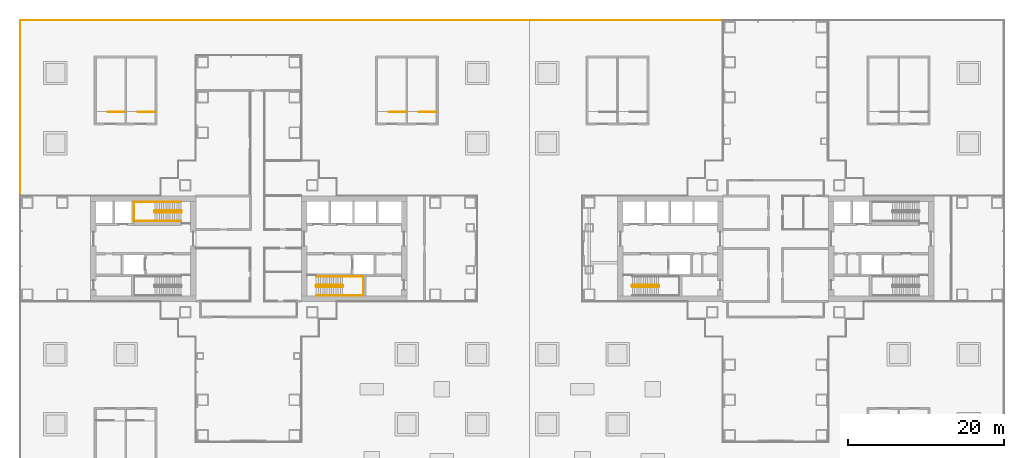
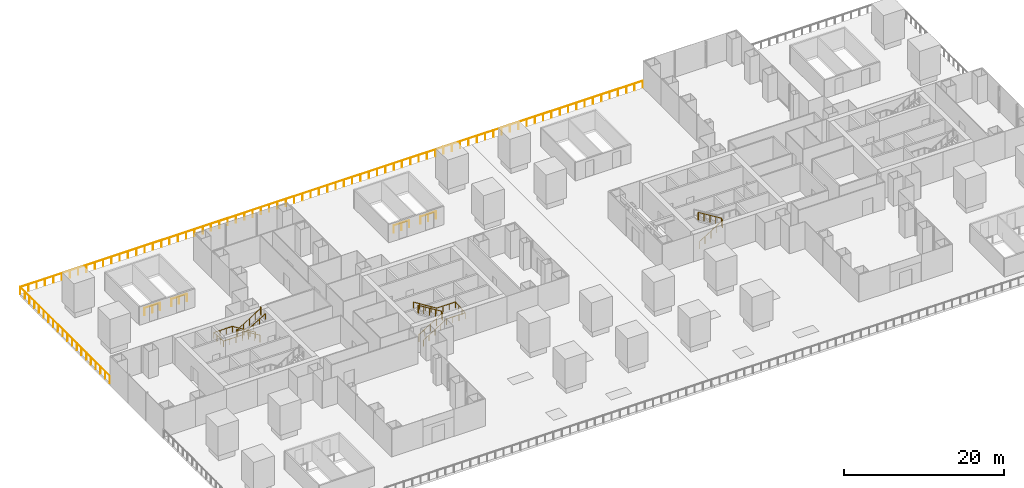
# One storey, part 21 of 23: 10 railings.
"""IFC4 building model written with IfcOpenShell, lengths in metres."""

from ifc_helpers import new_model, si_unit, direction, frame, origin, origin_2d, place, context, subcontext, project, spatial, circle, extrude, material, type_object, element, save


model = new_model("IFC4")

# Units and contexts
model_context = context("Model", 3, precision=1e-05, world=origin(), true_north=direction((0.0, 1.0)))
body_context = subcontext(model_context, "Body", "Model", "MODEL_VIEW")
ifc_project = project(units=[si_unit("LENGTHUNIT", "METRE"), si_unit("AREAUNIT", "SQUARE_METRE"), si_unit("VOLUMEUNIT", "CUBIC_METRE"), si_unit("PLANEANGLEUNIT", "RADIAN"), si_unit("MASSUNIT", "GRAM", prefix="KILO")], contexts=[model_context])

# Site, building, storey
site_placement = place(None, origin())
site = spatial("IfcSite", under=ifc_project, at=site_placement, CompositionType="ELEMENT")
building_placement = place(site_placement, origin())
building = spatial("IfcBuilding", under=site, at=building_placement, Name="Shamsa Quay Exchange Towers", CompositionType="ELEMENT")
storey_placement = place(building_placement, frame((0.0, 0.0, 28.5)))
storey = spatial("IfcBuildingStorey", under=building, at=storey_placement, Name="L05", CompositionType="ELEMENT", Elevation=28.5)

# Railings
ifc_material_1 = material(Name="Steel S355, black powder-coated", Category="steel")
railing_type_1 = type_object("IfcRailingType", Name="DECK GUARD 1100", PredefinedType="GUARDRAIL", material=ifc_material_1)
railing_1_placement = place(storey_placement, frame((26.97998046875, 29.25, 0.0)))
element("IfcRailing", 1, at=railing_1_placement, inside=storey, type_object=railing_type_1, Name="Deck guard 1.1", PredefinedType="GUARDRAIL", context=body_context, shape_type="SweptSolid", body=[
    extrude(circle(Radius=0.02392578125, at=origin_2d()), frame((0.0, 0.0, 1.076171875), z_axis=(-1.0, 0.0, 0.0), x_axis=(0.0, -1.0, 0.0)), (0.0, 0.0, 1.0), 89.97998046875),
    extrude(circle(Radius=0.02392578125, at=origin_2d()), frame((-89.97998046875, 0.0, 1.076171875), z_axis=(0.0, -1.0, 0.0), x_axis=(1.0, 0.0, 0.0)), (0.0, 0.0, 1.0), 22.47998046875),
    extrude(circle(Radius=0.02099609375, at=origin_2d()), origin(), (0.0, 0.0, 1.0), 1.052001953125),
    extrude(circle(Radius=0.02099609375, at=origin_2d()), frame((-1.19970703125, 0.0, 0.0)), (0.0, 0.0, 1.0), 1.052001953125),
    extrude(circle(Radius=0.02099609375, at=origin_2d()), frame((-2.3994140625, 0.0, 0.0)), (0.0, 0.0, 1.0), 1.052001953125),
    extrude(circle(Radius=0.02099609375, at=origin_2d()), frame((-3.59912109375, 0.0, 0.0)), (0.0, 0.0, 1.0), 1.052001953125),
    extrude(circle(Radius=0.02099609375, at=origin_2d()), frame((-4.798828125, 0.0, 0.0)), (0.0, 0.0, 1.0), 1.052001953125),
    extrude(circle(Radius=0.02099609375, at=origin_2d()), frame((-5.998779296875, 0.0, 0.0)), (0.0, 0.0, 1.0), 1.052001953125),
    extrude(circle(Radius=0.02099609375, at=origin_2d()), frame((-7.198486328125, 0.0, 0.0)), (0.0, 0.0, 1.0), 1.052001953125),
    extrude(circle(Radius=0.02099609375, at=origin_2d()), frame((-8.398193359375, 0.0, 0.0)), (0.0, 0.0, 1.0), 1.052001953125),
    extrude(circle(Radius=0.02099609375, at=origin_2d()), frame((-9.597900390625, 0.0, 0.0)), (0.0, 0.0, 1.0), 1.052001953125),
    extrude(circle(Radius=0.02099609375, at=origin_2d()), frame((-10.797607421875, 0.0, 0.0)), (0.0, 0.0, 1.0), 1.052001953125),
    extrude(circle(Radius=0.02099609375, at=origin_2d()), frame((-11.997314453125, 0.0, 0.0)), (0.0, 0.0, 1.0), 1.052001953125),
    extrude(circle(Radius=0.02099609375, at=origin_2d()), frame((-13.197021484375, 0.0, 0.0)), (0.0, 0.0, 1.0), 1.052001953125),
    extrude(circle(Radius=0.02099609375, at=origin_2d()), frame((-14.396728515625, 0.0, 0.0)), (0.0, 0.0, 1.0), 1.052001953125),
    extrude(circle(Radius=0.02099609375, at=origin_2d()), frame((-15.596435546875, 0.0, 0.0)), (0.0, 0.0, 1.0), 1.052001953125),
    extrude(circle(Radius=0.02099609375, at=origin_2d()), frame((-16.796142578125, 0.0, 0.0)), (0.0, 0.0, 1.0), 1.052001953125),
    extrude(circle(Radius=0.02099609375, at=origin_2d()), frame((-17.99609375, 0.0, 0.0)), (0.0, 0.0, 1.0), 1.052001953125),
    extrude(circle(Radius=0.02099609375, at=origin_2d()), frame((-19.19580078125, 0.0, 0.0)), (0.0, 0.0, 1.0), 1.052001953125),
    extrude(circle(Radius=0.02099609375, at=origin_2d()), frame((-20.3955078125, 0.0, 0.0)), (0.0, 0.0, 1.0), 1.052001953125),
    extrude(circle(Radius=0.02099609375, at=origin_2d()), frame((-21.59521484375, 0.0, 0.0)), (0.0, 0.0, 1.0), 1.052001953125),
    extrude(circle(Radius=0.02099609375, at=origin_2d()), frame((-22.794921875, 0.0, 0.0)), (0.0, 0.0, 1.0), 1.052001953125),
    extrude(circle(Radius=0.02099609375, at=origin_2d()), frame((-23.99462890625, 0.0, 0.0)), (0.0, 0.0, 1.0), 1.052001953125),
    extrude(circle(Radius=0.02099609375, at=origin_2d()), frame((-25.1943359375, 0.0, 0.0)), (0.0, 0.0, 1.0), 1.052001953125),
    extrude(circle(Radius=0.02099609375, at=origin_2d()), frame((-26.39404296875, 0.0, 0.0)), (0.0, 0.0, 1.0), 1.052001953125),
    extrude(circle(Radius=0.02099609375, at=origin_2d()), frame((-27.59375, 0.0, 0.0)), (0.0, 0.0, 1.0), 1.052001953125),
    extrude(circle(Radius=0.02099609375, at=origin_2d()), frame((-28.793701171875, 0.0, 0.0)), (0.0, 0.0, 1.0), 1.052001953125),
    extrude(circle(Radius=0.02099609375, at=origin_2d()), frame((-29.993408203125, 0.0, 0.0)), (0.0, 0.0, 1.0), 1.052001953125),
    extrude(circle(Radius=0.02099609375, at=origin_2d()), frame((-31.193115234375, 0.0, 0.0)), (0.0, 0.0, 1.0), 1.052001953125),
    extrude(circle(Radius=0.02099609375, at=origin_2d()), frame((-32.392822265625, 0.0, 0.0)), (0.0, 0.0, 1.0), 1.052001953125),
    extrude(circle(Radius=0.02099609375, at=origin_2d()), frame((-33.592529296875, 0.0, 0.0)), (0.0, 0.0, 1.0), 1.052001953125),
    extrude(circle(Radius=0.02099609375, at=origin_2d()), frame((-34.792236328125, 0.0, 0.0)), (0.0, 0.0, 1.0), 1.052001953125),
    extrude(circle(Radius=0.02099609375, at=origin_2d()), frame((-35.991943359375, 0.0, 0.0)), (0.0, 0.0, 1.0), 1.052001953125),
    extrude(circle(Radius=0.02099609375, at=origin_2d()), frame((-37.191650390625, 0.0, 0.0)), (0.0, 0.0, 1.0), 1.052001953125),
    extrude(circle(Radius=0.02099609375, at=origin_2d()), frame((-38.391357421875, 0.0, 0.0)), (0.0, 0.0, 1.0), 1.052001953125),
    extrude(circle(Radius=0.02099609375, at=origin_2d()), frame((-39.59130859375, 0.0, 0.0)), (0.0, 0.0, 1.0), 1.052001953125),
    extrude(circle(Radius=0.02099609375, at=origin_2d()), frame((-40.791015625, 0.0, 0.0)), (0.0, 0.0, 1.0), 1.052001953125),
    extrude(circle(Radius=0.02099609375, at=origin_2d()), frame((-41.99072265625, 0.0, 0.0)), (0.0, 0.0, 1.0), 1.052001953125),
    extrude(circle(Radius=0.02099609375, at=origin_2d()), frame((-43.1904296875, 0.0, 0.0)), (0.0, 0.0, 1.0), 1.052001953125),
    extrude(circle(Radius=0.02099609375, at=origin_2d()), frame((-44.39013671875, 0.0, 0.0)), (0.0, 0.0, 1.0), 1.052001953125),
    extrude(circle(Radius=0.02099609375, at=origin_2d()), frame((-45.58984375, 0.0, 0.0)), (0.0, 0.0, 1.0), 1.052001953125),
    extrude(circle(Radius=0.02099609375, at=origin_2d()), frame((-46.78955078125, 0.0, 0.0)), (0.0, 0.0, 1.0), 1.052001953125),
    extrude(circle(Radius=0.02099609375, at=origin_2d()), frame((-47.9892578125, 0.0, 0.0)), (0.0, 0.0, 1.0), 1.052001953125),
    extrude(circle(Radius=0.02099609375, at=origin_2d()), frame((-49.18896484375, 0.0, 0.0)), (0.0, 0.0, 1.0), 1.052001953125),
    extrude(circle(Radius=0.02099609375, at=origin_2d()), frame((-50.388671875, 0.0, 0.0)), (0.0, 0.0, 1.0), 1.052001953125),
    extrude(circle(Radius=0.02099609375, at=origin_2d()), frame((-51.588623046875, 0.0, 0.0)), (0.0, 0.0, 1.0), 1.052001953125),
    extrude(circle(Radius=0.02099609375, at=origin_2d()), frame((-52.788330078125, 0.0, 0.0)), (0.0, 0.0, 1.0), 1.052001953125),
    extrude(circle(Radius=0.02099609375, at=origin_2d()), frame((-53.988037109375, 0.0, 0.0)), (0.0, 0.0, 1.0), 1.052001953125),
    extrude(circle(Radius=0.02099609375, at=origin_2d()), frame((-55.187744140625, 0.0, 0.0)), (0.0, 0.0, 1.0), 1.052001953125),
    extrude(circle(Radius=0.02099609375, at=origin_2d()), frame((-56.387451171875, 0.0, 0.0)), (0.0, 0.0, 1.0), 1.052001953125),
    extrude(circle(Radius=0.02099609375, at=origin_2d()), frame((-57.587158203125, 0.0, 0.0)), (0.0, 0.0, 1.0), 1.052001953125),
    extrude(circle(Radius=0.02099609375, at=origin_2d()), frame((-58.786865234375, 0.0, 0.0)), (0.0, 0.0, 1.0), 1.052001953125),
    extrude(circle(Radius=0.02099609375, at=origin_2d()), frame((-59.986572265625, 0.0, 0.0)), (0.0, 0.0, 1.0), 1.052001953125),
    extrude(circle(Radius=0.02099609375, at=origin_2d()), frame((-61.186279296875, 0.0, 0.0)), (0.0, 0.0, 1.0), 1.052001953125),
    extrude(circle(Radius=0.02099609375, at=origin_2d()), frame((-62.38623046875, 0.0, 0.0)), (0.0, 0.0, 1.0), 1.052001953125),
    extrude(circle(Radius=0.02099609375, at=origin_2d()), frame((-63.5859375, 0.0, 0.0)), (0.0, 0.0, 1.0), 1.052001953125),
    extrude(circle(Radius=0.02099609375, at=origin_2d()), frame((-64.78564453125, 0.0, 0.0)), (0.0, 0.0, 1.0), 1.052001953125),
    extrude(circle(Radius=0.02099609375, at=origin_2d()), frame((-65.9853515625, 0.0, 0.0)), (0.0, 0.0, 1.0), 1.052001953125),
    extrude(circle(Radius=0.02099609375, at=origin_2d()), frame((-67.18505859375, 0.0, 0.0)), (0.0, 0.0, 1.0), 1.052001953125),
    extrude(circle(Radius=0.02099609375, at=origin_2d()), frame((-68.384765625, 0.0, 0.0)), (0.0, 0.0, 1.0), 1.052001953125),
    extrude(circle(Radius=0.02099609375, at=origin_2d()), frame((-69.58447265625, 0.0, 0.0)), (0.0, 0.0, 1.0), 1.052001953125),
    extrude(circle(Radius=0.02099609375, at=origin_2d()), frame((-70.7841796875, 0.0, 0.0)), (0.0, 0.0, 1.0), 1.052001953125),
    extrude(circle(Radius=0.02099609375, at=origin_2d()), frame((-71.98388671875, 0.0, 0.0)), (0.0, 0.0, 1.0), 1.052001953125),
    extrude(circle(Radius=0.02099609375, at=origin_2d()), frame((-73.183837890625, 0.0, 0.0)), (0.0, 0.0, 1.0), 1.052001953125),
    extrude(circle(Radius=0.02099609375, at=origin_2d()), frame((-74.383544921875, 0.0, 0.0)), (0.0, 0.0, 1.0), 1.052001953125),
    extrude(circle(Radius=0.02099609375, at=origin_2d()), frame((-75.583251953125, 0.0, 0.0)), (0.0, 0.0, 1.0), 1.052001953125),
    extrude(circle(Radius=0.02099609375, at=origin_2d()), frame((-76.782958984375, 0.0, 0.0)), (0.0, 0.0, 1.0), 1.052001953125),
    extrude(circle(Radius=0.02099609375, at=origin_2d()), frame((-77.982666015625, 0.0, 0.0)), (0.0, 0.0, 1.0), 1.052001953125),
    extrude(circle(Radius=0.02099609375, at=origin_2d()), frame((-79.182373046875, 0.0, 0.0)), (0.0, 0.0, 1.0), 1.052001953125),
    extrude(circle(Radius=0.02099609375, at=origin_2d()), frame((-80.382080078125, 0.0, 0.0)), (0.0, 0.0, 1.0), 1.052001953125),
    extrude(circle(Radius=0.02099609375, at=origin_2d()), frame((-81.581787109375, 0.0, 0.0)), (0.0, 0.0, 1.0), 1.052001953125),
    extrude(circle(Radius=0.02099609375, at=origin_2d()), frame((-82.781494140625, 0.0, 0.0)), (0.0, 0.0, 1.0), 1.052001953125),
    extrude(circle(Radius=0.02099609375, at=origin_2d()), frame((-83.981201171875, 0.0, 0.0)), (0.0, 0.0, 1.0), 1.052001953125),
    extrude(circle(Radius=0.02099609375, at=origin_2d()), frame((-85.18115234375, 0.0, 0.0)), (0.0, 0.0, 1.0), 1.052001953125),
    extrude(circle(Radius=0.02099609375, at=origin_2d()), frame((-86.380859375, 0.0, 0.0)), (0.0, 0.0, 1.0), 1.052001953125),
    extrude(circle(Radius=0.02099609375, at=origin_2d()), frame((-87.58056640625, 0.0, 0.0)), (0.0, 0.0, 1.0), 1.052001953125),
    extrude(circle(Radius=0.02099609375, at=origin_2d()), frame((-88.7802734375, 0.0, 0.0)), (0.0, 0.0, 1.0), 1.052001953125),
    extrude(circle(Radius=0.02099609375, at=origin_2d()), frame((-89.97998046875, 0.0, 0.0)), (0.0, 0.0, 1.0), 1.052001953125),
    extrude(circle(Radius=0.02099609375, at=origin_2d()), frame((-89.97998046875, -1.18310546875, 0.0)), (0.0, 0.0, 1.0), 1.052001953125),
    extrude(circle(Radius=0.02099609375, at=origin_2d()), frame((-89.97998046875, -2.3662109375, 0.0)), (0.0, 0.0, 1.0), 1.052001953125),
    extrude(circle(Radius=0.02099609375, at=origin_2d()), frame((-89.97998046875, -3.549560546875, 0.0)), (0.0, 0.0, 1.0), 1.052001953125),
    extrude(circle(Radius=0.02099609375, at=origin_2d()), frame((-89.97998046875, -4.732666015625, 0.0)), (0.0, 0.0, 1.0), 1.052001953125),
    extrude(circle(Radius=0.02099609375, at=origin_2d()), frame((-89.97998046875, -5.915771484375, 0.0)), (0.0, 0.0, 1.0), 1.052001953125),
    extrude(circle(Radius=0.02099609375, at=origin_2d()), frame((-89.97998046875, -7.098876953125, 0.0)), (0.0, 0.0, 1.0), 1.052001953125),
    extrude(circle(Radius=0.02099609375, at=origin_2d()), frame((-89.97998046875, -8.281982421875, 0.0)), (0.0, 0.0, 1.0), 1.052001953125),
    extrude(circle(Radius=0.02099609375, at=origin_2d()), frame((-89.97998046875, -9.46533203125, 0.0)), (0.0, 0.0, 1.0), 1.052001953125),
    extrude(circle(Radius=0.02099609375, at=origin_2d()), frame((-89.97998046875, -10.6484375, 0.0)), (0.0, 0.0, 1.0), 1.052001953125),
    extrude(circle(Radius=0.02099609375, at=origin_2d()), frame((-89.97998046875, -11.83154296875, 0.0)), (0.0, 0.0, 1.0), 1.052001953125),
    extrude(circle(Radius=0.02099609375, at=origin_2d()), frame((-89.97998046875, -13.0146484375, 0.0)), (0.0, 0.0, 1.0), 1.052001953125),
    extrude(circle(Radius=0.02099609375, at=origin_2d()), frame((-89.97998046875, -14.197998046875, 0.0)), (0.0, 0.0, 1.0), 1.052001953125),
    extrude(circle(Radius=0.02099609375, at=origin_2d()), frame((-89.97998046875, -15.381103515625, 0.0)), (0.0, 0.0, 1.0), 1.052001953125),
    extrude(circle(Radius=0.02099609375, at=origin_2d()), frame((-89.97998046875, -16.564208984375, 0.0)), (0.0, 0.0, 1.0), 1.052001953125),
    extrude(circle(Radius=0.02099609375, at=origin_2d()), frame((-89.97998046875, -17.747314453125, 0.0)), (0.0, 0.0, 1.0), 1.052001953125),
    extrude(circle(Radius=0.02099609375, at=origin_2d()), frame((-89.97998046875, -18.930419921875, 0.0)), (0.0, 0.0, 1.0), 1.052001953125),
    extrude(circle(Radius=0.02099609375, at=origin_2d()), frame((-89.97998046875, -20.11376953125, 0.0)), (0.0, 0.0, 1.0), 1.052001953125),
    extrude(circle(Radius=0.02099609375, at=origin_2d()), frame((-89.97998046875, -21.296875, 0.0)), (0.0, 0.0, 1.0), 1.052001953125),
    extrude(circle(Radius=0.02099609375, at=origin_2d()), frame((-89.97998046875, -22.47998046875, 0.0)), (0.0, 0.0, 1.0), 1.052001953125),
])
ifc_material_2 = material(Name="Stainless steel", Category="steel")
railing_type_2 = type_object("IfcRailingType", Name="STAIR GUARD 1100", PredefinedType="GUARDRAIL", material=ifc_material_2)
railing_2_placement = place(storey_placement, frame((-25.10009765625, -4.89990234375, 0.173095703125)))
element("IfcRailing", 2, at=railing_2_placement, inside=storey, type_object=railing_type_2, Name="L05 ST1 stair guard 1", PredefinedType="GUARDRAIL", context=body_context, shape_type="SweptSolid", body=[
    extrude(circle(Radius=0.02392578125, at=origin_2d()), frame((0.0, 0.0, 1.076171875), z_axis=(0.850623216509, 0.0, 0.525775754039), x_axis=(0.0, 1.0, 0.0)), (0.0, 0.0, 1.0), 3.9501953125),
    extrude(circle(Radius=0.02392578125, at=origin_2d()), frame((3.360107421875, 0.0, 3.15283203125), z_axis=(0.708833529934, 0.705375805398, 0.0), x_axis=(-0.705375805398, 0.708833529934, 0.0)), (0.0, 0.0, 1.0), 0.070556640625),
    extrude(circle(Radius=0.02392578125, at=origin_2d()), frame((3.41015625, 0.0498046875, 3.15283203125), z_axis=(0.0, 1.0, 0.0), x_axis=(-1.0, 0.0, 0.0)), (0.0, 0.0, 1.0), 0.150146484375),
    extrude(circle(Radius=0.02392578125, at=origin_2d()), frame((3.41015625, 0.199951171875, 3.15283203125), z_axis=(-0.267629722418, 0.267629722418, 0.925607186314), x_axis=(-0.707106781187, -0.707106781187, 0.0)), (0.0, 0.0, 1.0), 0.18701171875),
    extrude(circle(Radius=0.02392578125, at=origin_2d()), frame((3.360107421875, 0.25, 3.326171875), z_axis=(-0.850623216509, 0.0, 0.525775754039), x_axis=(0.0, -1.0, 0.0)), (0.0, 0.0, 1.0), 3.9501953125),
    extrude(circle(Radius=0.02392578125, at=origin_2d()), frame((0.0, 0.25, 5.40283203125), z_axis=(-0.24142163986, -0.970420317083, 0.0), x_axis=(0.970420317083, -0.24142163986, 0.0)), (0.0, 0.0, 1.0), 0.206298828125),
    extrude(circle(Radius=0.02392578125, at=origin_2d()), frame((-0.0498046875, 0.0498046875, 5.40283203125), z_axis=(0.0, 1.0, 0.0), x_axis=(-1.0, 0.0, 0.0)), (0.0, 0.0, 1.0), 0.150146484375),
    extrude(circle(Radius=0.02099609375, at=origin_2d()), origin(), (0.0, 0.0, 1.0), 1.052001953125),
    extrude(circle(Radius=0.02099609375, at=origin_2d()), frame((0.840087890625, 0.0, 0.519287109375)), (0.0, 0.0, 1.0), 1.052001953125),
    extrude(circle(Radius=0.02099609375, at=origin_2d()), frame((1.68017578125, 0.0, 1.03857421875)), (0.0, 0.0, 1.0), 1.052001953125),
    extrude(circle(Radius=0.02099609375, at=origin_2d()), frame((2.52001953125, 0.0, 1.5576171875)), (0.0, 0.0, 1.0), 1.052001953125),
    extrude(circle(Radius=0.02099609375, at=origin_2d()), frame((3.360107421875, 0.0, 2.076904296875)), (0.0, 0.0, 1.0), 1.052001953125),
    extrude(circle(Radius=0.02099609375, at=origin_2d()), frame((3.41015625, 0.0498046875, 2.076904296875)), (0.0, 0.0, 1.0), 1.052001953125),
    extrude(circle(Radius=0.02099609375, at=origin_2d()), frame((3.41015625, 0.199951171875, 2.076904296875)), (0.0, 0.0, 1.0), 1.052001953125),
    extrude(circle(Radius=0.02099609375, at=origin_2d()), frame((3.360107421875, 0.25, 2.25)), (0.0, 0.0, 1.0), 1.052001953125),
    extrude(circle(Radius=0.02099609375, at=origin_2d()), frame((2.52001953125, 0.25, 2.769287109375)), (0.0, 0.0, 1.0), 1.052001953125),
    extrude(circle(Radius=0.02099609375, at=origin_2d()), frame((1.68017578125, 0.25, 3.28857421875)), (0.0, 0.0, 1.0), 1.052001953125),
    extrude(circle(Radius=0.02099609375, at=origin_2d()), frame((0.840087890625, 0.25, 3.8076171875)), (0.0, 0.0, 1.0), 1.052001953125),
    extrude(circle(Radius=0.02099609375, at=origin_2d()), frame((0.0, 0.25, 4.326904296875)), (0.0, 0.0, 1.0), 1.052001953125),
    extrude(circle(Radius=0.02099609375, at=origin_2d()), frame((-0.0498046875, 0.0498046875, 4.326904296875)), (0.0, 0.0, 1.0), 1.052001953125),
    extrude(circle(Radius=0.02099609375, at=origin_2d()), frame((-0.0498046875, 0.199951171875, 4.326904296875)), (0.0, 0.0, 1.0), 1.052001953125),
])
railing_3_placement = place(storey_placement, frame((-42.39990234375, 4.89990234375, 0.173095703125)))
element("IfcRailing", 3, at=railing_3_placement, inside=storey, type_object=railing_type_2, Name="L05 ST3 stair guard 1", PredefinedType="GUARDRAIL", context=body_context, shape_type="SweptSolid", body=[
    extrude(circle(Radius=0.02392578125, at=origin_2d()), frame((0.0, 0.0, 1.076171875), z_axis=(-0.850623216509, 0.0, 0.525775754039), x_axis=(0.0, -1.0, 0.0)), (0.0, 0.0, 1.0), 3.9501953125),
    extrude(circle(Radius=0.02392578125, at=origin_2d()), frame((-3.360107421875, 0.0, 3.15283203125), z_axis=(-0.708833529934, -0.705375805398, 0.0), x_axis=(0.705375805398, -0.708833529934, 0.0)), (0.0, 0.0, 1.0), 0.070556640625),
    extrude(circle(Radius=0.02392578125, at=origin_2d()), frame((-3.41015625, -0.0498046875, 3.15283203125), z_axis=(0.0, -1.0, 0.0), x_axis=(1.0, 0.0, 0.0)), (0.0, 0.0, 1.0), 0.150146484375),
    extrude(circle(Radius=0.02392578125, at=origin_2d()), frame((-3.41015625, -0.199951171875, 3.15283203125), z_axis=(0.267629722418, -0.267629722418, 0.925607186314), x_axis=(0.707106781187, 0.707106781187, 0.0)), (0.0, 0.0, 1.0), 0.18701171875),
    extrude(circle(Radius=0.02392578125, at=origin_2d()), frame((-3.360107421875, -0.25, 3.326171875), z_axis=(0.850623216509, 0.0, 0.525775754039), x_axis=(0.0, 1.0, 0.0)), (0.0, 0.0, 1.0), 3.9501953125),
    extrude(circle(Radius=0.02392578125, at=origin_2d()), frame((0.0, -0.25, 5.40283203125), z_axis=(0.24142163986, 0.970420317083, 0.0), x_axis=(-0.970420317083, 0.24142163986, 0.0)), (0.0, 0.0, 1.0), 0.206298828125),
    extrude(circle(Radius=0.02392578125, at=origin_2d()), frame((0.0498046875, -0.0498046875, 5.40283203125), z_axis=(0.0, -1.0, 0.0), x_axis=(1.0, 0.0, 0.0)), (0.0, 0.0, 1.0), 0.150146484375),
    extrude(circle(Radius=0.02099609375, at=origin_2d()), origin(), (0.0, 0.0, 1.0), 1.052001953125),
    extrude(circle(Radius=0.02099609375, at=origin_2d()), frame((-0.840087890625, 0.0, 0.519287109375)), (0.0, 0.0, 1.0), 1.052001953125),
    extrude(circle(Radius=0.02099609375, at=origin_2d()), frame((-1.68017578125, 0.0, 1.03857421875)), (0.0, 0.0, 1.0), 1.052001953125),
    extrude(circle(Radius=0.02099609375, at=origin_2d()), frame((-2.52001953125, 0.0, 1.5576171875)), (0.0, 0.0, 1.0), 1.052001953125),
    extrude(circle(Radius=0.02099609375, at=origin_2d()), frame((-3.360107421875, 0.0, 2.076904296875)), (0.0, 0.0, 1.0), 1.052001953125),
    extrude(circle(Radius=0.02099609375, at=origin_2d()), frame((-3.41015625, -0.0498046875, 2.076904296875)), (0.0, 0.0, 1.0), 1.052001953125),
    extrude(circle(Radius=0.02099609375, at=origin_2d()), frame((-3.41015625, -0.199951171875, 2.076904296875)), (0.0, 0.0, 1.0), 1.052001953125),
    extrude(circle(Radius=0.02099609375, at=origin_2d()), frame((-3.360107421875, -0.25, 2.25)), (0.0, 0.0, 1.0), 1.052001953125),
    extrude(circle(Radius=0.02099609375, at=origin_2d()), frame((-2.52001953125, -0.25, 2.769287109375)), (0.0, 0.0, 1.0), 1.052001953125),
    extrude(circle(Radius=0.02099609375, at=origin_2d()), frame((-1.68017578125, -0.25, 3.28857421875)), (0.0, 0.0, 1.0), 1.052001953125),
    extrude(circle(Radius=0.02099609375, at=origin_2d()), frame((-0.840087890625, -0.25, 3.8076171875)), (0.0, 0.0, 1.0), 1.052001953125),
    extrude(circle(Radius=0.02099609375, at=origin_2d()), frame((0.0, -0.25, 4.326904296875)), (0.0, 0.0, 1.0), 1.052001953125),
    extrude(circle(Radius=0.02099609375, at=origin_2d()), frame((0.0498046875, -0.0498046875, 4.326904296875)), (0.0, 0.0, 1.0), 1.052001953125),
    extrude(circle(Radius=0.02099609375, at=origin_2d()), frame((0.0498046875, -0.199951171875, 4.326904296875)), (0.0, 0.0, 1.0), 1.052001953125),
])
railing_4_placement = place(storey_placement, frame((15.39990234375, -4.89990234375, 0.173095703125)))
element("IfcRailing", 4, at=railing_4_placement, inside=storey, type_object=railing_type_2, Name="L05 ST4 stair guard 1", PredefinedType="GUARDRAIL", context=body_context, shape_type="SweptSolid", body=[
    extrude(circle(Radius=0.02392578125, at=origin_2d()), frame((0.0, 0.0, 1.076171875), z_axis=(0.850623216509, 0.0, 0.525775754039), x_axis=(0.0, 1.0, 0.0)), (0.0, 0.0, 1.0), 3.9501953125),
    extrude(circle(Radius=0.02392578125, at=origin_2d()), frame((3.360107421875, 0.0, 3.15283203125), z_axis=(0.708833529934, 0.705375805398, 0.0), x_axis=(-0.705375805398, 0.708833529934, 0.0)), (0.0, 0.0, 1.0), 0.070556640625),
    extrude(circle(Radius=0.02392578125, at=origin_2d()), frame((3.41015625, 0.0498046875, 3.15283203125), z_axis=(0.0, 1.0, 0.0), x_axis=(-1.0, 0.0, 0.0)), (0.0, 0.0, 1.0), 0.150146484375),
    extrude(circle(Radius=0.02392578125, at=origin_2d()), frame((3.41015625, 0.199951171875, 3.15283203125), z_axis=(-0.267629722418, 0.267629722418, 0.925607186314), x_axis=(-0.707106781187, -0.707106781187, 0.0)), (0.0, 0.0, 1.0), 0.18701171875),
    extrude(circle(Radius=0.02392578125, at=origin_2d()), frame((3.360107421875, 0.25, 3.326171875), z_axis=(-0.850623216509, 0.0, 0.525775754039), x_axis=(0.0, -1.0, 0.0)), (0.0, 0.0, 1.0), 3.9501953125),
    extrude(circle(Radius=0.02392578125, at=origin_2d()), frame((0.0, 0.25, 5.40283203125), z_axis=(-0.24142163986, -0.970420317083, 0.0), x_axis=(0.970420317083, -0.24142163986, 0.0)), (0.0, 0.0, 1.0), 0.206298828125),
    extrude(circle(Radius=0.02392578125, at=origin_2d()), frame((-0.0498046875, 0.0498046875, 5.40283203125), z_axis=(0.0, 1.0, 0.0), x_axis=(-1.0, 0.0, 0.0)), (0.0, 0.0, 1.0), 0.150146484375),
    extrude(circle(Radius=0.02099609375, at=origin_2d()), origin(), (0.0, 0.0, 1.0), 1.052001953125),
    extrude(circle(Radius=0.02099609375, at=origin_2d()), frame((0.840087890625, 0.0, 0.519287109375)), (0.0, 0.0, 1.0), 1.052001953125),
    extrude(circle(Radius=0.02099609375, at=origin_2d()), frame((1.68017578125, 0.0, 1.03857421875)), (0.0, 0.0, 1.0), 1.052001953125),
    extrude(circle(Radius=0.02099609375, at=origin_2d()), frame((2.52001953125, 0.0, 1.5576171875)), (0.0, 0.0, 1.0), 1.052001953125),
    extrude(circle(Radius=0.02099609375, at=origin_2d()), frame((3.360107421875, 0.0, 2.076904296875)), (0.0, 0.0, 1.0), 1.052001953125),
    extrude(circle(Radius=0.02099609375, at=origin_2d()), frame((3.41015625, 0.0498046875, 2.076904296875)), (0.0, 0.0, 1.0), 1.052001953125),
    extrude(circle(Radius=0.02099609375, at=origin_2d()), frame((3.41015625, 0.199951171875, 2.076904296875)), (0.0, 0.0, 1.0), 1.052001953125),
    extrude(circle(Radius=0.02099609375, at=origin_2d()), frame((3.360107421875, 0.25, 2.25)), (0.0, 0.0, 1.0), 1.052001953125),
    extrude(circle(Radius=0.02099609375, at=origin_2d()), frame((2.52001953125, 0.25, 2.769287109375)), (0.0, 0.0, 1.0), 1.052001953125),
    extrude(circle(Radius=0.02099609375, at=origin_2d()), frame((1.68017578125, 0.25, 3.28857421875)), (0.0, 0.0, 1.0), 1.052001953125),
    extrude(circle(Radius=0.02099609375, at=origin_2d()), frame((0.840087890625, 0.25, 3.8076171875)), (0.0, 0.0, 1.0), 1.052001953125),
    extrude(circle(Radius=0.02099609375, at=origin_2d()), frame((0.0, 0.25, 4.326904296875)), (0.0, 0.0, 1.0), 1.052001953125),
    extrude(circle(Radius=0.02099609375, at=origin_2d()), frame((-0.0498046875, 0.0498046875, 4.326904296875)), (0.0, 0.0, 1.0), 1.052001953125),
    extrude(circle(Radius=0.02099609375, at=origin_2d()), frame((-0.0498046875, 0.199951171875, 4.326904296875)), (0.0, 0.0, 1.0), 1.052001953125),
])
for number, where, name in (
    (5, (-49.574951171875, 17.5, 0.0), "L05 PS1A top well guard 1"),
    (6, (-45.699951171875, 17.5, 0.0), "L05 PS1B top well guard 1"),
    (7, (-13.574951171875, 17.5, 0.0), "L05 PS2A top well guard 1"),
    (8, (-9.699951171875, 17.5, 0.0), "L05 PS2B top well guard 1"),
):
    element("IfcRailing", number, at=place(storey_placement, frame(where)), inside=storey, type_object=railing_type_2, Name=name, PredefinedType="GUARDRAIL", context=body_context, shape_type="SweptSolid", body=[
        extrude(circle(Radius=0.02392578125, at=origin_2d()), frame((0.0, 0.0, 1.076171875), z_axis=(-1.0, 0.0, 0.0), x_axis=(0.0, -1.0, 0.0)), (0.0, 0.0, 1.0), 2.22509765625),
        extrude(circle(Radius=0.02099609375, at=origin_2d()), origin(), (0.0, 0.0, 1.0), 1.052001953125),
        extrude(circle(Radius=0.02099609375, at=origin_2d()), frame((-1.112548828125, 0.0, 0.0)), (0.0, 0.0, 1.0), 1.052001953125),
        extrude(circle(Radius=0.02099609375, at=origin_2d()), frame((-2.22509765625, 0.0, 0.0)), (0.0, 0.0, 1.0), 1.052001953125),
    ])
railing_type_3 = type_object("IfcRailingType", Name="STAIR HANDRAIL 900", PredefinedType="HANDRAIL", material=ifc_material_2)
railing_5_placement = place(storey_placement, frame((-25.10009765625, -6.0, 0.173095703125)))
element("IfcRailing", 9, at=railing_5_placement, inside=storey, type_object=railing_type_3, Name="L05 ST1 stair handrail 1", PredefinedType="HANDRAIL", context=body_context, shape_type="SweptSolid", body=[
    extrude(circle(Radius=0.02392578125, at=origin_2d()), frame((0.0, 0.0, 0.8759765625), z_axis=(0.850623216509, 0.0, 0.525775754039), x_axis=(0.0, 1.0, 0.0)), (0.0, 0.0, 1.0), 3.9501953125),
    extrude(circle(Radius=0.02392578125, at=origin_2d()), frame((3.360107421875, 0.0, 2.95263671875), z_axis=(1.0, 0.0, 0.0), x_axis=(0.0, 1.0, 0.0)), (0.0, 0.0, 1.0), 2.68994140625),
    extrude(circle(Radius=0.02392578125, at=origin_2d()), frame((6.050048828125, 0.0, 2.95263671875), z_axis=(0.0, 0.997513402493, 0.07047703063), x_axis=(-1.0, 0.0, 0.0)), (0.0, 0.0, 1.0), 2.4560546875),
    extrude(circle(Radius=0.02392578125, at=origin_2d()), frame((6.050048828125, 2.449951171875, 3.1259765625), z_axis=(-1.0, 0.0, 0.0), x_axis=(0.0, -1.0, 0.0)), (0.0, 0.0, 1.0), 2.68994140625),
    extrude(circle(Radius=0.02392578125, at=origin_2d()), frame((3.360107421875, 2.449951171875, 3.1259765625), z_axis=(-0.850623216509, 0.0, 0.525775754039), x_axis=(0.0, -1.0, 0.0)), (0.0, 0.0, 1.0), 3.9501953125),
    extrude(circle(Radius=0.02099609375, at=origin_2d()), origin(), (0.0, 0.0, 1.0), 0.851806640625),
    extrude(circle(Radius=0.02099609375, at=origin_2d()), frame((0.840087890625, 0.0, 0.519287109375)), (0.0, 0.0, 1.0), 0.851806640625),
    extrude(circle(Radius=0.02099609375, at=origin_2d()), frame((1.68017578125, 0.0, 1.03857421875)), (0.0, 0.0, 1.0), 0.851806640625),
    extrude(circle(Radius=0.02099609375, at=origin_2d()), frame((2.52001953125, 0.0, 1.5576171875)), (0.0, 0.0, 1.0), 0.851806640625),
    extrude(circle(Radius=0.02099609375, at=origin_2d()), frame((3.360107421875, 0.0, 2.076904296875)), (0.0, 0.0, 1.0), 0.851806640625),
    extrude(circle(Radius=0.02099609375, at=origin_2d()), frame((4.2568359375, 0.0, 2.076904296875)), (0.0, 0.0, 1.0), 0.851806640625),
    extrude(circle(Radius=0.02099609375, at=origin_2d()), frame((5.1533203125, 0.0, 2.076904296875)), (0.0, 0.0, 1.0), 0.851806640625),
    extrude(circle(Radius=0.02099609375, at=origin_2d()), frame((6.050048828125, 0.0, 2.076904296875)), (0.0, 0.0, 1.0), 0.851806640625),
    extrude(circle(Radius=0.02099609375, at=origin_2d()), frame((6.050048828125, 0.816650390625, 2.134521484375)), (0.0, 0.0, 1.0), 0.851806640625),
    extrude(circle(Radius=0.02099609375, at=origin_2d()), frame((6.050048828125, 1.63330078125, 2.1923828125)), (0.0, 0.0, 1.0), 0.851806640625),
    extrude(circle(Radius=0.02099609375, at=origin_2d()), frame((6.050048828125, 2.449951171875, 2.25)), (0.0, 0.0, 1.0), 0.851806640625),
    extrude(circle(Radius=0.02099609375, at=origin_2d()), frame((5.1533203125, 2.449951171875, 2.25)), (0.0, 0.0, 1.0), 0.851806640625),
    extrude(circle(Radius=0.02099609375, at=origin_2d()), frame((4.2568359375, 2.449951171875, 2.25)), (0.0, 0.0, 1.0), 0.851806640625),
    extrude(circle(Radius=0.02099609375, at=origin_2d()), frame((3.360107421875, 2.449951171875, 2.25)), (0.0, 0.0, 1.0), 0.851806640625),
    extrude(circle(Radius=0.02099609375, at=origin_2d()), frame((2.52001953125, 2.449951171875, 2.769287109375)), (0.0, 0.0, 1.0), 0.851806640625),
    extrude(circle(Radius=0.02099609375, at=origin_2d()), frame((1.68017578125, 2.449951171875, 3.28857421875)), (0.0, 0.0, 1.0), 0.851806640625),
    extrude(circle(Radius=0.02099609375, at=origin_2d()), frame((0.840087890625, 2.449951171875, 3.8076171875)), (0.0, 0.0, 1.0), 0.851806640625),
    extrude(circle(Radius=0.02099609375, at=origin_2d()), frame((0.0, 2.449951171875, 4.326904296875)), (0.0, 0.0, 1.0), 0.851806640625),
])
railing_6_placement = place(storey_placement, frame((-42.39990234375, 6.0, 0.173095703125)))
element("IfcRailing", 10, at=railing_6_placement, inside=storey, type_object=railing_type_3, Name="L05 ST3 stair handrail 1", PredefinedType="HANDRAIL", context=body_context, shape_type="SweptSolid", body=[
    extrude(circle(Radius=0.02392578125, at=origin_2d()), frame((0.0, 0.0, 0.8759765625), z_axis=(-0.850623216509, 0.0, 0.525775754039), x_axis=(0.0, -1.0, 0.0)), (0.0, 0.0, 1.0), 3.9501953125),
    extrude(circle(Radius=0.02392578125, at=origin_2d()), frame((-3.360107421875, 0.0, 2.95263671875), z_axis=(-1.0, 0.0, 0.0), x_axis=(0.0, -1.0, 0.0)), (0.0, 0.0, 1.0), 2.68994140625),
    extrude(circle(Radius=0.02392578125, at=origin_2d()), frame((-6.050048828125, 0.0, 2.95263671875), z_axis=(0.0, -0.997513402493, 0.07047703063), x_axis=(1.0, 0.0, 0.0)), (0.0, 0.0, 1.0), 2.4560546875),
    extrude(circle(Radius=0.02392578125, at=origin_2d()), frame((-6.050048828125, -2.449951171875, 3.1259765625), z_axis=(1.0, 0.0, 0.0), x_axis=(0.0, 1.0, 0.0)), (0.0, 0.0, 1.0), 2.68994140625),
    extrude(circle(Radius=0.02392578125, at=origin_2d()), frame((-3.360107421875, -2.449951171875, 3.1259765625), z_axis=(0.850623216509, 0.0, 0.525775754039), x_axis=(0.0, 1.0, 0.0)), (0.0, 0.0, 1.0), 3.9501953125),
    extrude(circle(Radius=0.02099609375, at=origin_2d()), origin(), (0.0, 0.0, 1.0), 0.851806640625),
    extrude(circle(Radius=0.02099609375, at=origin_2d()), frame((-0.840087890625, 0.0, 0.519287109375)), (0.0, 0.0, 1.0), 0.851806640625),
    extrude(circle(Radius=0.02099609375, at=origin_2d()), frame((-1.68017578125, 0.0, 1.03857421875)), (0.0, 0.0, 1.0), 0.851806640625),
    extrude(circle(Radius=0.02099609375, at=origin_2d()), frame((-2.52001953125, 0.0, 1.5576171875)), (0.0, 0.0, 1.0), 0.851806640625),
    extrude(circle(Radius=0.02099609375, at=origin_2d()), frame((-3.360107421875, 0.0, 2.076904296875)), (0.0, 0.0, 1.0), 0.851806640625),
    extrude(circle(Radius=0.02099609375, at=origin_2d()), frame((-4.2568359375, 0.0, 2.076904296875)), (0.0, 0.0, 1.0), 0.851806640625),
    extrude(circle(Radius=0.02099609375, at=origin_2d()), frame((-5.1533203125, 0.0, 2.076904296875)), (0.0, 0.0, 1.0), 0.851806640625),
    extrude(circle(Radius=0.02099609375, at=origin_2d()), frame((-6.050048828125, 0.0, 2.076904296875)), (0.0, 0.0, 1.0), 0.851806640625),
    extrude(circle(Radius=0.02099609375, at=origin_2d()), frame((-6.050048828125, -0.816650390625, 2.134521484375)), (0.0, 0.0, 1.0), 0.851806640625),
    extrude(circle(Radius=0.02099609375, at=origin_2d()), frame((-6.050048828125, -1.63330078125, 2.1923828125)), (0.0, 0.0, 1.0), 0.851806640625),
    extrude(circle(Radius=0.02099609375, at=origin_2d()), frame((-6.050048828125, -2.449951171875, 2.25)), (0.0, 0.0, 1.0), 0.851806640625),
    extrude(circle(Radius=0.02099609375, at=origin_2d()), frame((-5.1533203125, -2.449951171875, 2.25)), (0.0, 0.0, 1.0), 0.851806640625),
    extrude(circle(Radius=0.02099609375, at=origin_2d()), frame((-4.2568359375, -2.449951171875, 2.25)), (0.0, 0.0, 1.0), 0.851806640625),
    extrude(circle(Radius=0.02099609375, at=origin_2d()), frame((-3.360107421875, -2.449951171875, 2.25)), (0.0, 0.0, 1.0), 0.851806640625),
    extrude(circle(Radius=0.02099609375, at=origin_2d()), frame((-2.52001953125, -2.449951171875, 2.769287109375)), (0.0, 0.0, 1.0), 0.851806640625),
    extrude(circle(Radius=0.02099609375, at=origin_2d()), frame((-1.68017578125, -2.449951171875, 3.28857421875)), (0.0, 0.0, 1.0), 0.851806640625),
    extrude(circle(Radius=0.02099609375, at=origin_2d()), frame((-0.840087890625, -2.449951171875, 3.8076171875)), (0.0, 0.0, 1.0), 0.851806640625),
    extrude(circle(Radius=0.02099609375, at=origin_2d()), frame((0.0, -2.449951171875, 4.326904296875)), (0.0, 0.0, 1.0), 0.851806640625),
])

save(model, "model.ifc")
